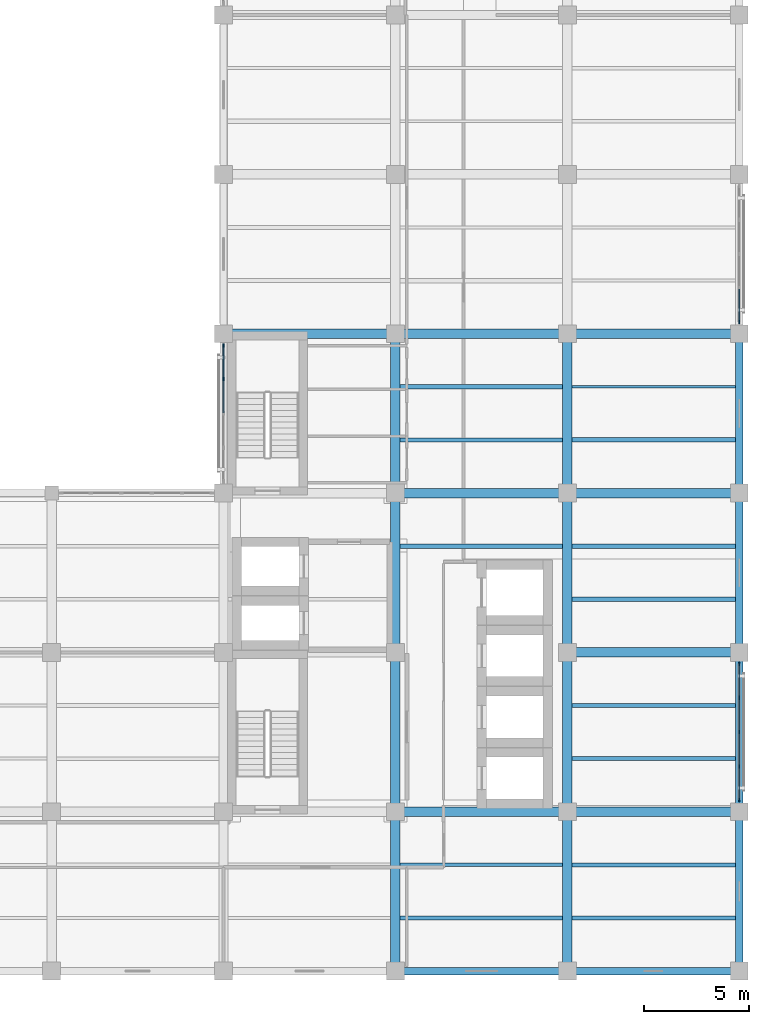
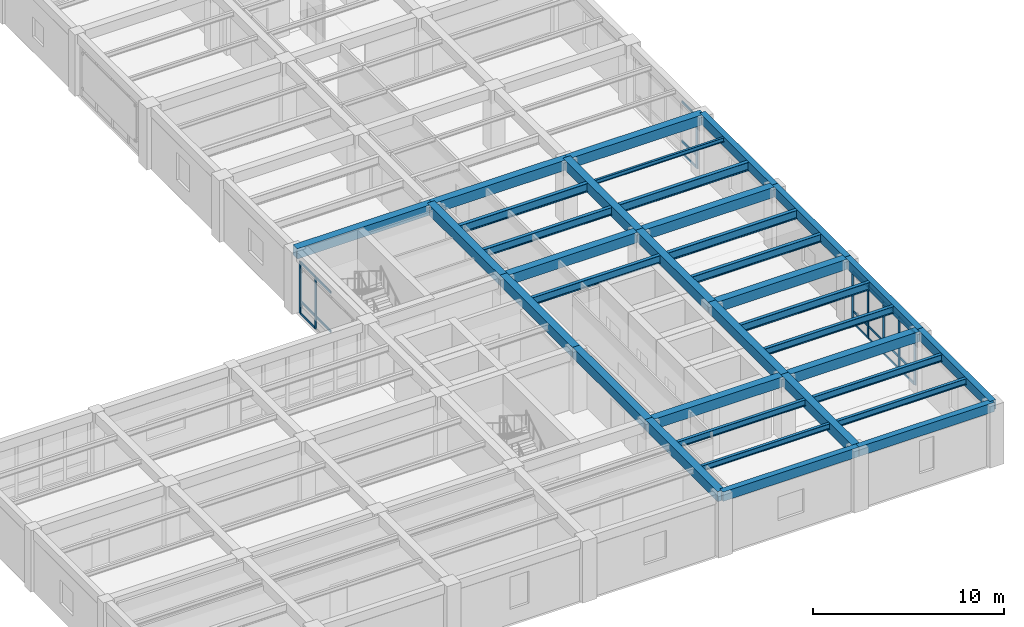
# One storey, part 3 of 16: 35 beams, 28 members, 3 elements without a shape of their own.
"""IFC4 building model written with IfcOpenShell, lengths in metres."""

from ifc_helpers import new_model, si_unit, direction, frame, origin, origin_2d, place, context, subcontext, project, spatial, rectangle, i_section, extrude, material, material_profile, profile_set, type_object, element, aggregate, save


model = new_model("IFC4")

# Units and contexts
model_context = context("Model", 3, precision=1e-05, world=origin(), true_north=direction((0.0, 1.0)))
body_context = subcontext(model_context, "Body", "Model", "MODEL_VIEW")
ifc_project = project(units=[si_unit("LENGTHUNIT", "METRE"), si_unit("AREAUNIT", "SQUARE_METRE"), si_unit("VOLUMEUNIT", "CUBIC_METRE"), si_unit("PLANEANGLEUNIT", "RADIAN"), si_unit("MASSUNIT", "GRAM", prefix="KILO")], contexts=[model_context])

# Site, building, storey
site_placement = place(None, origin())
site = spatial("IfcSite", under=ifc_project, at=site_placement, CompositionType="ELEMENT")
building_placement = place(site_placement, origin())
building = spatial("IfcBuilding", under=site, at=building_placement, Name="Qandaris Square Conservatory and Botanical Centre", CompositionType="ELEMENT")
storey_placement = place(building_placement, frame((0.0, 0.0, 24.0)))
storey = spatial("IfcBuildingStorey", under=building, at=storey_placement, Name="L05", CompositionType="ELEMENT", Elevation=24.0)

# Beams
ifc_material_1 = material(Name="Steel S355", Category="steel")
ifc_material_profile_1 = material_profile(ifc_material_1, i_section(OverallWidth=0.18994140625, OverallDepth=0.449951171875, WebThickness=0.009521484375, FlangeThickness=0.0146484375, FilletRadius=0.02099609375, at=origin_2d()), Name="IPE 450")
ifc_profile_set_1 = profile_set([ifc_material_profile_1], Name="Steel S355")
beam_type_1 = type_object("IfcBeamType", Name="Composite Archive Joist IPE 450", PredefinedType="JOIST", material=ifc_profile_set_1)
for number, where, z_axis, x_axis, name in (
    (1, (155.824951171875, 21.666748046875, 3.695068359375), (1.0, 0.0, 0.0), (0.0, 1.0, 0.0), "L05 Composite Joist 1942"),
    (2, (155.824951171875, 26.7333984375, 3.695068359375), (1.0, 0.0, 0.0), (0.0, 1.0, 0.0), "L05 Composite Joist 1943"),
):
    element("IfcBeam", number, at=place(storey_placement, frame(where, z_axis=z_axis, x_axis=x_axis)), inside=storey, type_object=beam_type_1, Name=name, PredefinedType="JOIST", context=body_context, shape_type="SweptSolid", body=[
        extrude(i_section(OverallWidth=0.18994140625, OverallDepth=0.449951171875, WebThickness=0.009521484375, FlangeThickness=0.0146484375, FilletRadius=0.02099609375, at=origin_2d()), origin(), (0.0, 0.0, 1.0), 7.800048828125),
    ])
ifc_material_profile_2 = material_profile(ifc_material_1, i_section(OverallWidth=0.199951171875, OverallDepth=0.5, WebThickness=0.01025390625, FlangeThickness=0.01611328125, FilletRadius=0.02099609375, at=origin_2d()), Name="IPE 500")
ifc_profile_set_2 = profile_set([ifc_material_profile_2], Name="Steel S355")
beam_type_2 = type_object("IfcBeamType", Name="Composite Gallery Joist IPE 500", PredefinedType="JOIST", material=ifc_profile_set_2)
for number, where, z_axis, x_axis, name in (
    (3, (147.625, 36.86669921875, 3.669921875), (1.0, 0.0, 0.0), (0.0, 1.0, 0.0), "L05 Composite Joist 1932"),
    (4, (147.625, 41.933349609375, 3.669921875), (1.0, 0.0, 0.0), (0.0, 1.0, 0.0), "L05 Composite Joist 1933"),
):
    element("IfcBeam", number, at=place(storey_placement, frame(where, z_axis=z_axis, x_axis=x_axis)), inside=storey, type_object=beam_type_2, Name=name, PredefinedType="JOIST", context=body_context, shape_type="SweptSolid", body=[
        extrude(i_section(OverallWidth=0.199951171875, OverallDepth=0.5, WebThickness=0.01025390625, FlangeThickness=0.01611328125, FilletRadius=0.02099609375, at=origin_2d()), origin(), (0.0, 0.0, 1.0), 7.75),
    ])
for number, where, z_axis, x_axis, name in (
    (5, (155.824951171875, 29.2666015625, 3.669921875), (1.0, 0.0, 0.0), (0.0, 1.0, 0.0), "L05 Composite Joist 1944"),
    (6, (155.824951171875, 34.333251953125, 3.669921875), (1.0, 0.0, 0.0), (0.0, 1.0, 0.0), "L05 Composite Joist 1945"),
):
    element("IfcBeam", number, at=place(storey_placement, frame(where, z_axis=z_axis, x_axis=x_axis)), inside=storey, type_object=beam_type_2, Name=name, PredefinedType="JOIST", context=body_context, shape_type="SweptSolid", body=[
        extrude(i_section(OverallWidth=0.199951171875, OverallDepth=0.5, WebThickness=0.01025390625, FlangeThickness=0.01611328125, FilletRadius=0.02099609375, at=origin_2d()), origin(), (0.0, 0.0, 1.0), 7.800048828125),
    ])
ifc_material_profile_3 = material_profile(ifc_material_1, i_section(OverallWidth=0.169921875, OverallDepth=0.360107421875, WebThickness=0.008056640625, FlangeThickness=0.0126953125, FilletRadius=0.01806640625, at=origin_2d()), Name="IPE 360")
ifc_profile_set_3 = profile_set([ifc_material_profile_3], Name="Steel S355")
beam_type_3 = type_object("IfcBeamType", Name="Composite Lab Joist IPE 360", PredefinedType="JOIST", material=ifc_profile_set_3)
beam_1_placement = place(storey_placement, frame((147.625, 19.13330078125, 3.739990234375), z_axis=(1.0, 0.0, 0.0), x_axis=(0.0, 1.0, 0.0)))
element("IfcBeam", 7, at=beam_1_placement, inside=storey, type_object=beam_type_3, Name="L05 Composite Joist 1930", PredefinedType="JOIST", context=body_context, shape_type="SweptSolid", body=[
    extrude(i_section(OverallWidth=0.169921875, OverallDepth=0.360107421875, WebThickness=0.008056640625, FlangeThickness=0.0126953125, FilletRadius=0.01806640625, at=origin_2d()), origin(), (0.0, 0.0, 1.0), 7.75),
])
ifc_material_profile_4 = material_profile(ifc_material_1, i_section(OverallWidth=0.179931640625, OverallDepth=0.39990234375, WebThickness=0.008544921875, FlangeThickness=0.013427734375, FilletRadius=0.02099609375, at=origin_2d()), Name="IPE 400")
ifc_profile_set_4 = profile_set([ifc_material_profile_4], Name="Steel S355")
beam_type_4 = type_object("IfcBeamType", Name="Composite Plinth Joist IPE 400", PredefinedType="JOIST", material=ifc_profile_set_4)
beam_2_placement = place(storey_placement, frame((147.625, 21.666748046875, 3.719970703125), z_axis=(1.0, 0.0, 0.0), x_axis=(0.0, 1.0, 0.0)))
element("IfcBeam", 8, at=beam_2_placement, inside=storey, type_object=beam_type_4, Name="L05 Composite Joist 1931", PredefinedType="JOIST", context=body_context, shape_type="SweptSolid", body=[
    extrude(i_section(OverallWidth=0.179931640625, OverallDepth=0.39990234375, WebThickness=0.008544921875, FlangeThickness=0.013427734375, FilletRadius=0.02099609375, at=origin_2d()), origin(), (0.0, 0.0, 1.0), 7.75),
])
beam_3_placement = place(storey_placement, frame((155.824951171875, 19.13330078125, 3.719970703125), z_axis=(1.0, 0.0, 0.0), x_axis=(0.0, 1.0, 0.0)))
element("IfcBeam", 9, at=beam_3_placement, inside=storey, type_object=beam_type_4, Name="L05 Composite Joist 1941", PredefinedType="JOIST", context=body_context, shape_type="SweptSolid", body=[
    extrude(i_section(OverallWidth=0.179931640625, OverallDepth=0.39990234375, WebThickness=0.008544921875, FlangeThickness=0.013427734375, FilletRadius=0.02099609375, at=origin_2d()), origin(), (0.0, 0.0, 1.0), 7.800048828125),
])

# Curtain wall, members
ifc_material_2 = material(Name="Anodised Aluminium", Category="aluminium")
curtain_wall_type = type_object("IfcCurtainWallType", Name="Unitised Curtain Wall CW-4-655x333", PredefinedType="USERDEFINED", material=ifc_material_2)
curtain_wall_1_placement = place(storey_placement, origin())
curtain_wall_1 = element("IfcCurtainWall", 10, at=curtain_wall_1_placement, inside=storey, type_object=curtain_wall_type, Name="Curtain Wall CW-TWR-L05-2-2", ObjectType="GLAZED CURTAIN WALL", PredefinedType="USERDEFINED")
ifc_material_profile_5 = material_profile(ifc_material_2, rectangle(XDim=0.06494140625, YDim=0.179931640625, at=origin_2d()), Name="ALU-MUL 65x180")
ifc_profile_set_5 = profile_set([ifc_material_profile_5], Name="Anodised Aluminium")
member_type_1 = type_object("IfcMemberType", Name="Curtain Wall Mullion 65x180", PredefinedType="MULLION", material=ifc_profile_set_5)
member_1_placement = place(storey_placement, frame((163.800048828125, 24.757568359375, 0.0), z_axis=(0.0, 0.0, 1.0), x_axis=(-1.0, 0.0, 0.0)))
member_1 = element("IfcMember", 11, at=member_1_placement, type_object=member_type_1, Name="CW-4-655x333 mullion 1", PredefinedType="MULLION", context=body_context, shape_type="SweptSolid", body=[
    extrude(rectangle(XDim=0.06494140625, YDim=0.179931640625, at=origin_2d()), origin(), (0.0, 0.0, 1.0), 3.330078125),
])
member_2_placement = place(storey_placement, frame((163.800048828125, 26.362548828125, 0.0), z_axis=(0.0, 0.0, 1.0), x_axis=(-1.0, 0.0, 0.0)))
member_2 = element("IfcMember", 12, at=member_2_placement, type_object=member_type_1, Name="CW-4-655x333 mullion 2", PredefinedType="MULLION", context=body_context, shape_type="SweptSolid", body=[
    extrude(rectangle(XDim=0.06494140625, YDim=0.179931640625, at=origin_2d()), origin(), (0.0, 0.0, 1.0), 3.330078125),
])
member_3_placement = place(storey_placement, frame((163.800048828125, 28.0, 0.0), z_axis=(0.0, 0.0, 1.0), x_axis=(-1.0, 0.0, 0.0)))
member_3 = element("IfcMember", 13, at=member_3_placement, type_object=member_type_1, Name="CW-4-655x333 mullion 3", PredefinedType="MULLION", context=body_context, shape_type="SweptSolid", body=[
    extrude(rectangle(XDim=0.06494140625, YDim=0.179931640625, at=origin_2d()), origin(), (0.0, 0.0, 1.0), 3.330078125),
])
member_4_placement = place(storey_placement, frame((163.800048828125, 29.637451171875, 0.0), z_axis=(0.0, 0.0, 1.0), x_axis=(-1.0, 0.0, 0.0)))
member_4 = element("IfcMember", 14, at=member_4_placement, type_object=member_type_1, Name="CW-4-655x333 mullion 4", PredefinedType="MULLION", context=body_context, shape_type="SweptSolid", body=[
    extrude(rectangle(XDim=0.06494140625, YDim=0.179931640625, at=origin_2d()), origin(), (0.0, 0.0, 1.0), 3.330078125),
])
member_5_placement = place(storey_placement, frame((163.800048828125, 31.242431640625, 0.0), z_axis=(0.0, 0.0, 1.0), x_axis=(-1.0, 0.0, 0.0)))
member_5 = element("IfcMember", 15, at=member_5_placement, type_object=member_type_1, Name="CW-4-655x333 mullion 5", PredefinedType="MULLION", context=body_context, shape_type="SweptSolid", body=[
    extrude(rectangle(XDim=0.06494140625, YDim=0.179931640625, at=origin_2d()), origin(), (0.0, 0.0, 1.0), 3.330078125),
])

# Curtain wall, member
curtain_wall_2_placement = place(storey_placement, origin())
curtain_wall_2 = element("IfcCurtainWall", 16, at=curtain_wall_2_placement, inside=storey, type_object=curtain_wall_type, Name="Curtain Wall CW-TWR-L05-2-5", ObjectType="GLAZED CURTAIN WALL", PredefinedType="USERDEFINED")
member_6_placement = place(storey_placement, frame((163.800048828125, 47.5576171875, 0.0), z_axis=(0.0, 0.0, 1.0), x_axis=(-1.0, 0.0, 0.0)))
member_6 = element("IfcMember", 17, at=member_6_placement, type_object=member_type_1, Name="CW-4-655x333 mullion 1", PredefinedType="MULLION", context=body_context, shape_type="SweptSolid", body=[
    extrude(rectangle(XDim=0.06494140625, YDim=0.179931640625, at=origin_2d()), origin(), (0.0, 0.0, 1.0), 3.330078125),
])

# Curtain wall, members
curtain_wall_3_placement = place(storey_placement, origin())
curtain_wall_3 = element("IfcCurtainWall", 18, at=curtain_wall_3_placement, inside=storey, type_object=curtain_wall_type, Name="Curtain Wall CW-TWR-L05-4-5", ObjectType="GLAZED CURTAIN WALL", PredefinedType="USERDEFINED")
member_7_placement = place(storey_placement, frame((139.199951171875, 46.4423828125, 0.0), z_axis=(0.0, 0.0, 1.0), x_axis=(1.0, 0.0, 0.0)))
member_7 = element("IfcMember", 19, at=member_7_placement, type_object=member_type_1, Name="CW-4-655x333 mullion 1", PredefinedType="MULLION", context=body_context, shape_type="SweptSolid", body=[
    extrude(rectangle(XDim=0.06494140625, YDim=0.179931640625, at=origin_2d()), origin(), (0.0, 0.0, 1.0), 3.330078125),
])
member_8_placement = place(storey_placement, frame((139.199951171875, 44.83740234375, 0.0), z_axis=(0.0, 0.0, 1.0), x_axis=(1.0, 0.0, 0.0)))
member_8 = element("IfcMember", 20, at=member_8_placement, type_object=member_type_1, Name="CW-4-655x333 mullion 2", PredefinedType="MULLION", context=body_context, shape_type="SweptSolid", body=[
    extrude(rectangle(XDim=0.06494140625, YDim=0.179931640625, at=origin_2d()), origin(), (0.0, 0.0, 1.0), 3.330078125),
])

# Member
ifc_material_profile_6 = material_profile(ifc_material_2, rectangle(XDim=0.06494140625, YDim=0.139892578125, at=origin_2d()), Name="ALU-TRN 65x140")
ifc_profile_set_6 = profile_set([ifc_material_profile_6], Name="Anodised Aluminium")
member_type_2 = type_object("IfcMemberType", Name="Curtain Wall Transom 65x140", PredefinedType="USERDEFINED", material=ifc_profile_set_6)
member_9_placement = place(storey_placement, frame((163.800048828125, 24.7900390625, 0.032470703125), z_axis=(0.0, 1.0, 0.0), x_axis=(-1.0, 0.0, 0.0)))
member_9 = element("IfcMember", 21, at=member_9_placement, type_object=member_type_2, Name="CW-4-655x333 transom 1.1", ObjectType="TRANSOM", PredefinedType="USERDEFINED", context=body_context, shape_type="SweptSolid", body=[
    extrude(rectangle(XDim=0.06494140625, YDim=0.139892578125, at=origin_2d()), origin(), (0.0, 0.0, 1.0), 1.5400390625),
])

member_10_placement = place(storey_placement, frame((163.800048828125, 24.7900390625, 0.79931640625), z_axis=(0.0, 1.0, 0.0), x_axis=(-1.0, 0.0, 0.0)))
member_10 = element("IfcMember", 22, at=member_10_placement, type_object=member_type_2, Name="CW-4-655x333 transom 1.2", ObjectType="TRANSOM", PredefinedType="USERDEFINED", context=body_context, shape_type="SweptSolid", body=[
    extrude(rectangle(XDim=0.06494140625, YDim=0.139892578125, at=origin_2d()), origin(), (0.0, 0.0, 1.0), 1.5400390625),
])

member_11_placement = place(storey_placement, frame((163.800048828125, 24.7900390625, 3.297607421875), z_axis=(0.0, 1.0, 0.0), x_axis=(-1.0, 0.0, 0.0)))
member_11 = element("IfcMember", 23, at=member_11_placement, type_object=member_type_2, Name="CW-4-655x333 transom 1.3", ObjectType="TRANSOM", PredefinedType="USERDEFINED", context=body_context, shape_type="SweptSolid", body=[
    extrude(rectangle(XDim=0.06494140625, YDim=0.139892578125, at=origin_2d()), origin(), (0.0, 0.0, 1.0), 1.5400390625),
])

member_12_placement = place(storey_placement, frame((163.800048828125, 26.39501953125, 0.032470703125), z_axis=(0.0, 1.0, 0.0), x_axis=(-1.0, 0.0, 0.0)))
member_12 = element("IfcMember", 24, at=member_12_placement, type_object=member_type_2, Name="CW-4-655x333 transom 2.1", ObjectType="TRANSOM", PredefinedType="USERDEFINED", context=body_context, shape_type="SweptSolid", body=[
    extrude(rectangle(XDim=0.06494140625, YDim=0.139892578125, at=origin_2d()), origin(), (0.0, 0.0, 1.0), 1.572509765625),
])

member_13_placement = place(storey_placement, frame((163.800048828125, 26.39501953125, 0.79931640625), z_axis=(0.0, 1.0, 0.0), x_axis=(-1.0, 0.0, 0.0)))
member_13 = element("IfcMember", 25, at=member_13_placement, type_object=member_type_2, Name="CW-4-655x333 transom 2.2", ObjectType="TRANSOM", PredefinedType="USERDEFINED", context=body_context, shape_type="SweptSolid", body=[
    extrude(rectangle(XDim=0.06494140625, YDim=0.139892578125, at=origin_2d()), origin(), (0.0, 0.0, 1.0), 1.572509765625),
])

member_14_placement = place(storey_placement, frame((163.800048828125, 26.39501953125, 3.297607421875), z_axis=(0.0, 1.0, 0.0), x_axis=(-1.0, 0.0, 0.0)))
member_14 = element("IfcMember", 26, at=member_14_placement, type_object=member_type_2, Name="CW-4-655x333 transom 2.3", ObjectType="TRANSOM", PredefinedType="USERDEFINED", context=body_context, shape_type="SweptSolid", body=[
    extrude(rectangle(XDim=0.06494140625, YDim=0.139892578125, at=origin_2d()), origin(), (0.0, 0.0, 1.0), 1.572509765625),
])

member_15_placement = place(storey_placement, frame((163.800048828125, 28.032470703125, 0.032470703125), z_axis=(0.0, 1.0, 0.0), x_axis=(-1.0, 0.0, 0.0)))
member_15 = element("IfcMember", 27, at=member_15_placement, type_object=member_type_2, Name="CW-4-655x333 transom 3.1", ObjectType="TRANSOM", PredefinedType="USERDEFINED", context=body_context, shape_type="SweptSolid", body=[
    extrude(rectangle(XDim=0.06494140625, YDim=0.139892578125, at=origin_2d()), origin(), (0.0, 0.0, 1.0), 1.572509765625),
])

member_16_placement = place(storey_placement, frame((163.800048828125, 28.032470703125, 0.79931640625), z_axis=(0.0, 1.0, 0.0), x_axis=(-1.0, 0.0, 0.0)))
member_16 = element("IfcMember", 28, at=member_16_placement, type_object=member_type_2, Name="CW-4-655x333 transom 3.2", ObjectType="TRANSOM", PredefinedType="USERDEFINED", context=body_context, shape_type="SweptSolid", body=[
    extrude(rectangle(XDim=0.06494140625, YDim=0.139892578125, at=origin_2d()), origin(), (0.0, 0.0, 1.0), 1.572509765625),
])

member_17_placement = place(storey_placement, frame((163.800048828125, 28.032470703125, 3.297607421875), z_axis=(0.0, 1.0, 0.0), x_axis=(-1.0, 0.0, 0.0)))
member_17 = element("IfcMember", 29, at=member_17_placement, type_object=member_type_2, Name="CW-4-655x333 transom 3.3", ObjectType="TRANSOM", PredefinedType="USERDEFINED", context=body_context, shape_type="SweptSolid", body=[
    extrude(rectangle(XDim=0.06494140625, YDim=0.139892578125, at=origin_2d()), origin(), (0.0, 0.0, 1.0), 1.572509765625),
])

member_18_placement = place(storey_placement, frame((163.800048828125, 29.669921875, 0.032470703125), z_axis=(0.0, 1.0, 0.0), x_axis=(-1.0, 0.0, 0.0)))
member_18 = element("IfcMember", 30, at=member_18_placement, type_object=member_type_2, Name="CW-4-655x333 transom 4.1", ObjectType="TRANSOM", PredefinedType="USERDEFINED", context=body_context, shape_type="SweptSolid", body=[
    extrude(rectangle(XDim=0.06494140625, YDim=0.139892578125, at=origin_2d()), origin(), (0.0, 0.0, 1.0), 1.5400390625),
])

member_19_placement = place(storey_placement, frame((163.800048828125, 29.669921875, 0.79931640625), z_axis=(0.0, 1.0, 0.0), x_axis=(-1.0, 0.0, 0.0)))
member_19 = element("IfcMember", 31, at=member_19_placement, type_object=member_type_2, Name="CW-4-655x333 transom 4.2", ObjectType="TRANSOM", PredefinedType="USERDEFINED", context=body_context, shape_type="SweptSolid", body=[
    extrude(rectangle(XDim=0.06494140625, YDim=0.139892578125, at=origin_2d()), origin(), (0.0, 0.0, 1.0), 1.5400390625),
])

member_20_placement = place(storey_placement, frame((163.800048828125, 29.669921875, 3.297607421875), z_axis=(0.0, 1.0, 0.0), x_axis=(-1.0, 0.0, 0.0)))
member_20 = element("IfcMember", 32, at=member_20_placement, type_object=member_type_2, Name="CW-4-655x333 transom 4.3", ObjectType="TRANSOM", PredefinedType="USERDEFINED", context=body_context, shape_type="SweptSolid", body=[
    extrude(rectangle(XDim=0.06494140625, YDim=0.139892578125, at=origin_2d()), origin(), (0.0, 0.0, 1.0), 1.5400390625),
])

aggregate(curtain_wall_1, [member_1, member_2, member_3, member_4, member_5, member_9, member_10, member_11, member_12, member_13, member_14, member_15, member_16, member_17, member_18, member_19, member_20])

member_21_placement = place(storey_placement, frame((163.800048828125, 47.590087890625, 0.032470703125), z_axis=(0.0, 1.0, 0.0), x_axis=(-1.0, 0.0, 0.0)))
member_21 = element("IfcMember", 33, at=member_21_placement, type_object=member_type_2, Name="CW-4-655x333 transom 1.1", ObjectType="TRANSOM", PredefinedType="USERDEFINED", context=body_context, shape_type="SweptSolid", body=[
    extrude(rectangle(XDim=0.06494140625, YDim=0.139892578125, at=origin_2d()), origin(), (0.0, 0.0, 1.0), 1.539794921875),
])

member_22_placement = place(storey_placement, frame((163.800048828125, 47.590087890625, 0.79931640625), z_axis=(0.0, 1.0, 0.0), x_axis=(-1.0, 0.0, 0.0)))
member_22 = element("IfcMember", 34, at=member_22_placement, type_object=member_type_2, Name="CW-4-655x333 transom 1.2", ObjectType="TRANSOM", PredefinedType="USERDEFINED", context=body_context, shape_type="SweptSolid", body=[
    extrude(rectangle(XDim=0.06494140625, YDim=0.139892578125, at=origin_2d()), origin(), (0.0, 0.0, 1.0), 1.539794921875),
])

member_23_placement = place(storey_placement, frame((163.800048828125, 47.590087890625, 3.297607421875), z_axis=(0.0, 1.0, 0.0), x_axis=(-1.0, 0.0, 0.0)))
member_23 = element("IfcMember", 35, at=member_23_placement, type_object=member_type_2, Name="CW-4-655x333 transom 1.3", ObjectType="TRANSOM", PredefinedType="USERDEFINED", context=body_context, shape_type="SweptSolid", body=[
    extrude(rectangle(XDim=0.06494140625, YDim=0.139892578125, at=origin_2d()), origin(), (0.0, 0.0, 1.0), 1.539794921875),
])

aggregate(curtain_wall_2, [member_6, member_21, member_22, member_23])

member_24_placement = place(storey_placement, frame((139.199951171875, 46.409912109375, 0.032470703125), z_axis=(0.0, -1.0, 0.0), x_axis=(1.0, 0.0, 0.0)))
member_24 = element("IfcMember", 36, at=member_24_placement, type_object=member_type_2, Name="CW-4-655x333 transom 1.1", ObjectType="TRANSOM", PredefinedType="USERDEFINED", context=body_context, shape_type="SweptSolid", body=[
    extrude(rectangle(XDim=0.06494140625, YDim=0.139892578125, at=origin_2d()), origin(), (0.0, 0.0, 1.0), 1.539794921875),
])

member_25_placement = place(storey_placement, frame((139.199951171875, 46.409912109375, 0.79931640625), z_axis=(0.0, -1.0, 0.0), x_axis=(1.0, 0.0, 0.0)))
member_25 = element("IfcMember", 37, at=member_25_placement, type_object=member_type_2, Name="CW-4-655x333 transom 1.2", ObjectType="TRANSOM", PredefinedType="USERDEFINED", context=body_context, shape_type="SweptSolid", body=[
    extrude(rectangle(XDim=0.06494140625, YDim=0.139892578125, at=origin_2d()), origin(), (0.0, 0.0, 1.0), 1.539794921875),
])

member_26_placement = place(storey_placement, frame((139.199951171875, 46.409912109375, 3.297607421875), z_axis=(0.0, -1.0, 0.0), x_axis=(1.0, 0.0, 0.0)))
member_26 = element("IfcMember", 38, at=member_26_placement, type_object=member_type_2, Name="CW-4-655x333 transom 1.3", ObjectType="TRANSOM", PredefinedType="USERDEFINED", context=body_context, shape_type="SweptSolid", body=[
    extrude(rectangle(XDim=0.06494140625, YDim=0.139892578125, at=origin_2d()), origin(), (0.0, 0.0, 1.0), 1.539794921875),
])

member_27_placement = place(storey_placement, frame((139.199951171875, 44.804931640625, 0.79931640625), z_axis=(0.0, -1.0, 0.0), x_axis=(1.0, 0.0, 0.0)))
member_27 = element("IfcMember", 39, at=member_27_placement, type_object=member_type_2, Name="CW-4-655x333 transom 2.2", ObjectType="TRANSOM", PredefinedType="USERDEFINED", context=body_context, shape_type="SweptSolid", body=[
    extrude(rectangle(XDim=0.06494140625, YDim=0.139892578125, at=origin_2d()), origin(), (0.0, 0.0, 1.0), 1.572509765625),
])

member_28_placement = place(storey_placement, frame((139.199951171875, 44.804931640625, 3.297607421875), z_axis=(0.0, -1.0, 0.0), x_axis=(1.0, 0.0, 0.0)))
member_28 = element("IfcMember", 40, at=member_28_placement, type_object=member_type_2, Name="CW-4-655x333 transom 2.3", ObjectType="TRANSOM", PredefinedType="USERDEFINED", context=body_context, shape_type="SweptSolid", body=[
    extrude(rectangle(XDim=0.06494140625, YDim=0.139892578125, at=origin_2d()), origin(), (0.0, 0.0, 1.0), 1.572509765625),
])

aggregate(curtain_wall_3, [member_7, member_8, member_24, member_25, member_26, member_27, member_28])

# Beams
ifc_material_profile_7 = material_profile(ifc_material_1, i_section(OverallWidth=0.2099609375, OverallDepth=0.550048828125, WebThickness=0.010986328125, FlangeThickness=0.01708984375, FilletRadius=0.02392578125, at=origin_2d()), Name="IPE 550")
ifc_profile_set_7 = profile_set([ifc_material_profile_7], Name="Steel S355")
beam_type_5 = type_object("IfcBeamType", Name="Long-Span Foyer Joist IPE 550", PredefinedType="JOIST", material=ifc_profile_set_7)
beam_4_placement = place(storey_placement, frame((147.625, 44.466796875, 3.64501953125), z_axis=(1.0, 0.0, 0.0), x_axis=(0.0, 1.0, 0.0)))
element("IfcBeam", 41, at=beam_4_placement, inside=storey, type_object=beam_type_5, Name="L05 Composite Joist 1934", PredefinedType="JOIST", context=body_context, shape_type="SweptSolid", body=[
    extrude(i_section(OverallWidth=0.2099609375, OverallDepth=0.550048828125, WebThickness=0.010986328125, FlangeThickness=0.01708984375, FilletRadius=0.02392578125, at=origin_2d()), origin(), (0.0, 0.0, 1.0), 7.75),
])
for number, where, z_axis, x_axis, name in (
    (42, (155.824951171875, 36.86669921875, 3.64501953125), (1.0, 0.0, 0.0), (0.0, 1.0, 0.0), "L05 Composite Joist 1946"),
    (43, (155.824951171875, 41.933349609375, 3.64501953125), (1.0, 0.0, 0.0), (0.0, 1.0, 0.0), "L05 Composite Joist 1947"),
):
    element("IfcBeam", number, at=place(storey_placement, frame(where, z_axis=z_axis, x_axis=x_axis)), inside=storey, type_object=beam_type_5, Name=name, PredefinedType="JOIST", context=body_context, shape_type="SweptSolid", body=[
        extrude(i_section(OverallWidth=0.2099609375, OverallDepth=0.550048828125, WebThickness=0.010986328125, FlangeThickness=0.01708984375, FilletRadius=0.02392578125, at=origin_2d()), origin(), (0.0, 0.0, 1.0), 7.800048828125),
    ])
ifc_material_3 = material(Name="Concrete C50/60", Category="concrete")
ifc_material_profile_8 = material_profile(ifc_material_3, rectangle(XDim=0.35009765625, YDim=0.60009765625, at=origin_2d()), Name="RC-SP 350x600")
ifc_profile_set_8 = profile_set([ifc_material_profile_8], Name="Concrete C50/60")
beam_type_6 = type_object("IfcBeamType", Name="RC Edge Spandrel Beam 350x600", PredefinedType="SPANDREL", material=ifc_profile_set_8)
beam_5_placement = place(storey_placement, frame((147.39990234375, 16.60009765625, 3.6298828125), z_axis=(1.0, 0.0, 0.0), x_axis=(0.0, 1.0, 0.0)))
element("IfcBeam", 44, at=beam_5_placement, inside=storey, type_object=beam_type_6, Name="L05 Frame Beam 1827", PredefinedType="SPANDREL", context=body_context, shape_type="SweptSolid", body=[
    extrude(rectangle(XDim=0.35009765625, YDim=0.60009765625, at=origin_2d()), origin(), (0.0, 0.0, 1.0), 8.2001953125),
])
beam_6_placement = place(storey_placement, frame((155.60009765625, 16.60009765625, 3.6298828125), z_axis=(1.0, 0.0, 0.0), x_axis=(0.0, 1.0, 0.0)))
element("IfcBeam", 45, at=beam_6_placement, inside=storey, type_object=beam_type_6, Name="L05 Frame Beam 1828", PredefinedType="SPANDREL", context=body_context, shape_type="SweptSolid", body=[
    extrude(rectangle(XDim=0.35009765625, YDim=0.60009765625, at=origin_2d()), origin(), (0.0, 0.0, 1.0), 8.199951171875),
])
beam_7_placement = place(storey_placement, frame((163.800048828125, 16.60009765625, 3.6298828125), z_axis=(0.0, 1.0, 0.0), x_axis=(-1.0, 0.0, 0.0)))
element("IfcBeam", 46, at=beam_7_placement, inside=storey, type_object=beam_type_6, Name="L05 Frame Beam 1893", PredefinedType="SPANDREL", context=body_context, shape_type="SweptSolid", body=[
    extrude(rectangle(XDim=0.35009765625, YDim=0.60009765625, at=origin_2d()), origin(), (0.0, 0.0, 1.0), 7.599853515625),
])
beam_8_placement = place(storey_placement, frame((163.800048828125, 24.199951171875, 3.6298828125), z_axis=(0.0, 1.0, 0.0), x_axis=(-1.0, 0.0, 0.0)))
element("IfcBeam", 47, at=beam_8_placement, inside=storey, type_object=beam_type_6, Name="L05 Frame Beam 1894", PredefinedType="SPANDREL", context=body_context, shape_type="SweptSolid", body=[
    extrude(rectangle(XDim=0.35009765625, YDim=0.60009765625, at=origin_2d()), origin(), (0.0, 0.0, 1.0), 7.60009765625),
])
beam_9_placement = place(storey_placement, frame((163.800048828125, 31.800048828125, 3.6298828125), z_axis=(0.0, 1.0, 0.0), x_axis=(-1.0, 0.0, 0.0)))
element("IfcBeam", 48, at=beam_9_placement, inside=storey, type_object=beam_type_6, Name="L05 Frame Beam 1895", PredefinedType="SPANDREL", context=body_context, shape_type="SweptSolid", body=[
    extrude(rectangle(XDim=0.35009765625, YDim=0.60009765625, at=origin_2d()), origin(), (0.0, 0.0, 1.0), 7.599853515625),
])
beam_10_placement = place(storey_placement, frame((163.800048828125, 39.39990234375, 3.6298828125), z_axis=(0.0, 1.0, 0.0), x_axis=(-1.0, 0.0, 0.0)))
element("IfcBeam", 49, at=beam_10_placement, inside=storey, type_object=beam_type_6, Name="L05 Frame Beam 1896", PredefinedType="SPANDREL", context=body_context, shape_type="SweptSolid", body=[
    extrude(rectangle(XDim=0.35009765625, YDim=0.60009765625, at=origin_2d()), origin(), (0.0, 0.0, 1.0), 7.60009765625),
])
ifc_material_profile_9 = material_profile(ifc_material_3, rectangle(XDim=0.449951171875, YDim=0.64990234375, at=origin_2d()), Name="RC-BM 450x650")
ifc_profile_set_9 = profile_set([ifc_material_profile_9], Name="Concrete C50/60")
beam_type_7 = type_object("IfcBeamType", Name="RC Floor Girder 450x650", PredefinedType="BEAM", material=ifc_profile_set_9)
beam_11_placement = place(storey_placement, frame((147.39990234375, 24.199951171875, 3.60498046875), z_axis=(1.0, 0.0, 0.0), x_axis=(0.0, 1.0, 0.0)))
element("IfcBeam", 50, at=beam_11_placement, inside=storey, type_object=beam_type_7, Name="L05 Frame Beam 1833", PredefinedType="BEAM", context=body_context, shape_type="SweptSolid", body=[
    extrude(rectangle(XDim=0.449951171875, YDim=0.64990234375, at=origin_2d()), origin(), (0.0, 0.0, 1.0), 8.2001953125),
])
for number, where, z_axis, x_axis, name in (
    (51, (155.60009765625, 24.199951171875, 3.60498046875), (1.0, 0.0, 0.0), (0.0, 1.0, 0.0), "L05 Frame Beam 1834"),
    (52, (155.60009765625, 31.800048828125, 3.60498046875), (1.0, 0.0, 0.0), (0.0, 1.0, 0.0), "L05 Frame Beam 1839"),
):
    element("IfcBeam", number, at=place(storey_placement, frame(where, z_axis=z_axis, x_axis=x_axis)), inside=storey, type_object=beam_type_7, Name=name, PredefinedType="BEAM", context=body_context, shape_type="SweptSolid", body=[
        extrude(rectangle(XDim=0.449951171875, YDim=0.64990234375, at=origin_2d()), origin(), (0.0, 0.0, 1.0), 8.199951171875),
    ])
beam_12_placement = place(storey_placement, frame((147.39990234375, 39.39990234375, 3.60498046875), z_axis=(1.0, 0.0, 0.0), x_axis=(0.0, 1.0, 0.0)))
element("IfcBeam", 53, at=beam_12_placement, inside=storey, type_object=beam_type_7, Name="L05 Frame Beam 1844", PredefinedType="BEAM", context=body_context, shape_type="SweptSolid", body=[
    extrude(rectangle(XDim=0.449951171875, YDim=0.64990234375, at=origin_2d()), origin(), (0.0, 0.0, 1.0), 8.2001953125),
])
for number, where, z_axis, x_axis, name in (
    (54, (155.60009765625, 39.39990234375, 3.60498046875), (1.0, 0.0, 0.0), (0.0, 1.0, 0.0), "L05 Frame Beam 1845"),
    (55, (139.199951171875, 47.0, 3.60498046875), (1.0, 0.0, 0.0), (0.0, 1.0, 0.0), "L05 Frame Beam 1846"),
):
    element("IfcBeam", number, at=place(storey_placement, frame(where, z_axis=z_axis, x_axis=x_axis)), inside=storey, type_object=beam_type_7, Name=name, PredefinedType="BEAM", context=body_context, shape_type="SweptSolid", body=[
        extrude(rectangle(XDim=0.449951171875, YDim=0.64990234375, at=origin_2d()), origin(), (0.0, 0.0, 1.0), 8.199951171875),
    ])
beam_13_placement = place(storey_placement, frame((147.39990234375, 47.0, 3.60498046875), z_axis=(1.0, 0.0, 0.0), x_axis=(0.0, 1.0, 0.0)))
element("IfcBeam", 56, at=beam_13_placement, inside=storey, type_object=beam_type_7, Name="L05 Frame Beam 1847", PredefinedType="BEAM", context=body_context, shape_type="SweptSolid", body=[
    extrude(rectangle(XDim=0.449951171875, YDim=0.64990234375, at=origin_2d()), origin(), (0.0, 0.0, 1.0), 8.2001953125),
])
beam_14_placement = place(storey_placement, frame((155.60009765625, 47.0, 3.60498046875), z_axis=(1.0, 0.0, 0.0), x_axis=(0.0, 1.0, 0.0)))
element("IfcBeam", 57, at=beam_14_placement, inside=storey, type_object=beam_type_7, Name="L05 Frame Beam 1848", PredefinedType="BEAM", context=body_context, shape_type="SweptSolid", body=[
    extrude(rectangle(XDim=0.449951171875, YDim=0.64990234375, at=origin_2d()), origin(), (0.0, 0.0, 1.0), 8.199951171875),
])
beam_15_placement = place(storey_placement, frame((147.39990234375, 16.60009765625, 3.60498046875), z_axis=(0.0, 1.0, 0.0), x_axis=(-1.0, 0.0, 0.0)))
element("IfcBeam", 58, at=beam_15_placement, inside=storey, type_object=beam_type_7, Name="L05 Frame Beam 1877", PredefinedType="BEAM", context=body_context, shape_type="SweptSolid", body=[
    extrude(rectangle(XDim=0.449951171875, YDim=0.64990234375, at=origin_2d()), origin(), (0.0, 0.0, 1.0), 7.599853515625),
])
beam_16_placement = place(storey_placement, frame((147.39990234375, 24.199951171875, 3.60498046875), z_axis=(0.0, 1.0, 0.0), x_axis=(-1.0, 0.0, 0.0)))
element("IfcBeam", 59, at=beam_16_placement, inside=storey, type_object=beam_type_7, Name="L05 Frame Beam 1878", PredefinedType="BEAM", context=body_context, shape_type="SweptSolid", body=[
    extrude(rectangle(XDim=0.449951171875, YDim=0.64990234375, at=origin_2d()), origin(), (0.0, 0.0, 1.0), 7.60009765625),
])
beam_17_placement = place(storey_placement, frame((147.39990234375, 31.800048828125, 3.60498046875), z_axis=(0.0, 1.0, 0.0), x_axis=(-1.0, 0.0, 0.0)))
element("IfcBeam", 60, at=beam_17_placement, inside=storey, type_object=beam_type_7, Name="L05 Frame Beam 1879", PredefinedType="BEAM", context=body_context, shape_type="SweptSolid", body=[
    extrude(rectangle(XDim=0.449951171875, YDim=0.64990234375, at=origin_2d()), origin(), (0.0, 0.0, 1.0), 7.599853515625),
])
beam_18_placement = place(storey_placement, frame((147.39990234375, 39.39990234375, 3.60498046875), z_axis=(0.0, 1.0, 0.0), x_axis=(-1.0, 0.0, 0.0)))
element("IfcBeam", 61, at=beam_18_placement, inside=storey, type_object=beam_type_7, Name="L05 Frame Beam 1880", PredefinedType="BEAM", context=body_context, shape_type="SweptSolid", body=[
    extrude(rectangle(XDim=0.449951171875, YDim=0.64990234375, at=origin_2d()), origin(), (0.0, 0.0, 1.0), 7.60009765625),
])
beam_19_placement = place(storey_placement, frame((155.60009765625, 16.60009765625, 3.60498046875), z_axis=(0.0, 1.0, 0.0), x_axis=(-1.0, 0.0, 0.0)))
element("IfcBeam", 62, at=beam_19_placement, inside=storey, type_object=beam_type_7, Name="L05 Frame Beam 1885", PredefinedType="BEAM", context=body_context, shape_type="SweptSolid", body=[
    extrude(rectangle(XDim=0.449951171875, YDim=0.64990234375, at=origin_2d()), origin(), (0.0, 0.0, 1.0), 7.599853515625),
])
beam_20_placement = place(storey_placement, frame((155.60009765625, 24.199951171875, 3.60498046875), z_axis=(0.0, 1.0, 0.0), x_axis=(-1.0, 0.0, 0.0)))
element("IfcBeam", 63, at=beam_20_placement, inside=storey, type_object=beam_type_7, Name="L05 Frame Beam 1886", PredefinedType="BEAM", context=body_context, shape_type="SweptSolid", body=[
    extrude(rectangle(XDim=0.449951171875, YDim=0.64990234375, at=origin_2d()), origin(), (0.0, 0.0, 1.0), 7.60009765625),
])
beam_21_placement = place(storey_placement, frame((155.60009765625, 31.800048828125, 3.60498046875), z_axis=(0.0, 1.0, 0.0), x_axis=(-1.0, 0.0, 0.0)))
element("IfcBeam", 64, at=beam_21_placement, inside=storey, type_object=beam_type_7, Name="L05 Frame Beam 1887", PredefinedType="BEAM", context=body_context, shape_type="SweptSolid", body=[
    extrude(rectangle(XDim=0.449951171875, YDim=0.64990234375, at=origin_2d()), origin(), (0.0, 0.0, 1.0), 7.599853515625),
])
beam_22_placement = place(storey_placement, frame((155.60009765625, 39.39990234375, 3.60498046875), z_axis=(0.0, 1.0, 0.0), x_axis=(-1.0, 0.0, 0.0)))
element("IfcBeam", 65, at=beam_22_placement, inside=storey, type_object=beam_type_7, Name="L05 Frame Beam 1888", PredefinedType="BEAM", context=body_context, shape_type="SweptSolid", body=[
    extrude(rectangle(XDim=0.449951171875, YDim=0.64990234375, at=origin_2d()), origin(), (0.0, 0.0, 1.0), 7.60009765625),
])
ifc_material_profile_10 = material_profile(ifc_material_1, i_section(OverallWidth=0.135009765625, OverallDepth=0.27001953125, WebThickness=0.006591796875, FlangeThickness=0.01025390625, FilletRadius=0.014892578125, at=origin_2d()), Name="IPE 270")
ifc_profile_set_10 = profile_set([ifc_material_profile_10], Name="Steel S355")
beam_type_8 = type_object("IfcBeamType", Name="Steel Floor Joist IPE 270", PredefinedType="JOIST", material=ifc_profile_set_10)
beam_23_placement = place(storey_placement, frame((155.824951171875, 44.466796875, 3.784912109375), z_axis=(1.0, 0.0, 0.0), x_axis=(0.0, 1.0, 0.0)))
element("IfcBeam", 66, at=beam_23_placement, inside=storey, type_object=beam_type_8, Name="L05 Composite Joist 1948", PredefinedType="JOIST", context=body_context, shape_type="SweptSolid", body=[
    extrude(i_section(OverallWidth=0.135009765625, OverallDepth=0.27001953125, WebThickness=0.006591796875, FlangeThickness=0.01025390625, FilletRadius=0.014892578125, at=origin_2d()), origin(), (0.0, 0.0, 1.0), 7.800048828125),
])

save(model, "model.ifc")
